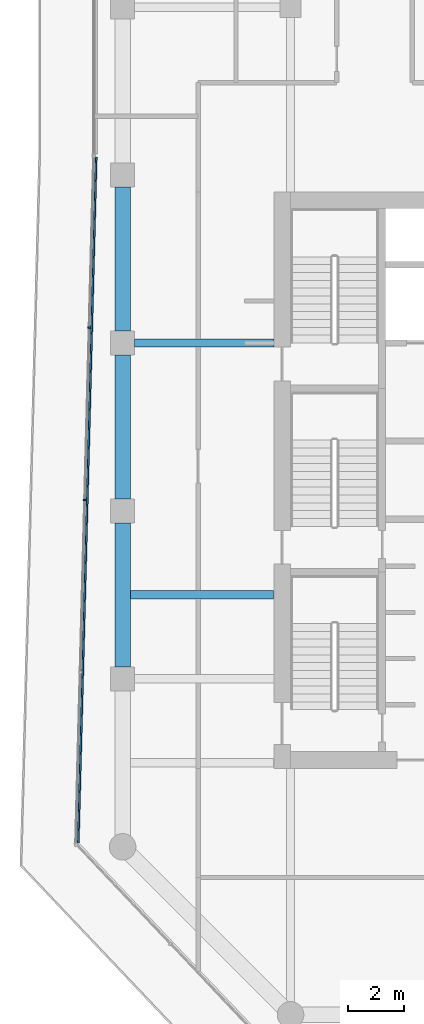
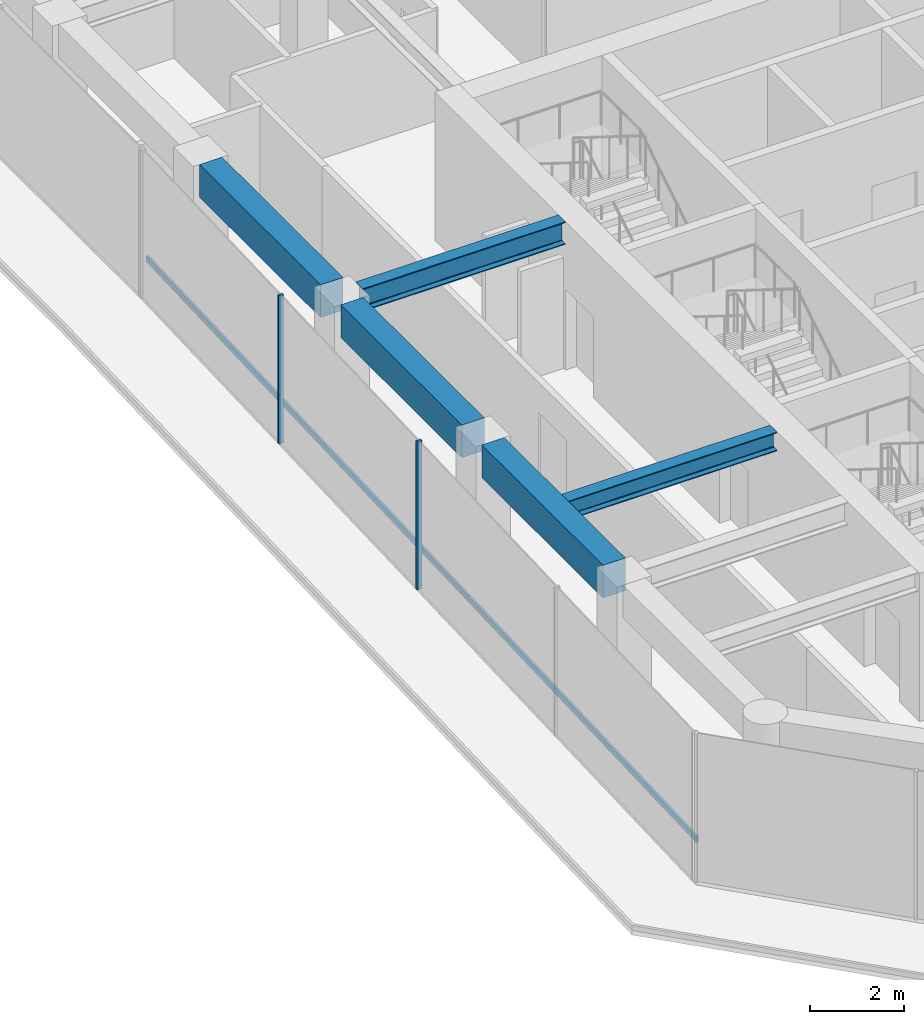
# One storey, part 4 of 19: 5 beams, 3 members, 1 element without a shape of its own.
"""IFC4 building model written with IfcOpenShell, lengths in metres."""

from ifc_helpers import new_model, si_unit, direction, frame, origin, origin_2d, place, context, subcontext, project, spatial, rectangle, i_section, extrude, material, layer, layer_set, material_profile, profile_set, type_object, element, aggregate, save


model = new_model("IFC4")

# Units and contexts
model_context = context("Model", 3, precision=1e-05, world=origin(), true_north=direction((0.0, 1.0)))
body_context = subcontext(model_context, "Body", "Model", "MODEL_VIEW")
ifc_project = project(units=[si_unit("LENGTHUNIT", "METRE"), si_unit("AREAUNIT", "SQUARE_METRE"), si_unit("VOLUMEUNIT", "CUBIC_METRE"), si_unit("PLANEANGLEUNIT", "RADIAN"), si_unit("MASSUNIT", "GRAM", prefix="KILO")], contexts=[model_context])

# Site, building, storey
site_placement = place(None, origin())
site = spatial("IfcSite", under=ifc_project, at=site_placement, CompositionType="ELEMENT")
building_placement = place(site_placement, origin())
building = spatial("IfcBuilding", under=site, at=building_placement, Name="Welwitschia Terrace Campus", CompositionType="ELEMENT")
storey_placement = place(building_placement, frame((0.0, 0.0, 163.39990234375)))
storey = spatial("IfcBuildingStorey", under=building, at=storey_placement, Name="L36", CompositionType="ELEMENT", Elevation=163.39990234375)

# Beam
ifc_material_1 = material(Name="Steel S355", Category="steel")
ifc_material_profile_1 = material_profile(ifc_material_1, i_section(OverallWidth=0.300048828125, OverallDepth=0.489990234375, WebThickness=0.011962890625, FlangeThickness=0.02294921875, FilletRadius=0.027099609375, at=origin_2d()))
ifc_profile_set_1 = profile_set([ifc_material_profile_1], Name="Steel S355")
beam_type_1 = type_object("IfcBeamType", Name="Interior girder HE 500 A", PredefinedType="BEAM", material=ifc_profile_set_1)
beam_1_placement = place(storey_placement, frame((-0.010009765625, 11.0, 3.60498046875), z_axis=(1.0, 0.0, 0.0), x_axis=(0.0, 1.0, 0.0)))
element("IfcBeam", 1, at=beam_1_placement, inside=storey, type_object=beam_type_1, Name="Girder GB4", PredefinedType="BEAM", context=body_context, shape_type="SweptSolid", body=[
    extrude(i_section(OverallWidth=0.300048828125, OverallDepth=0.489990234375, WebThickness=0.011962890625, FlangeThickness=0.02294921875, FilletRadius=0.027099609375, at=origin_2d()), origin(), (0.0, 0.0, 1.0), 5.408935546875),
])

# Curtain wall, members
ifc_material_2 = material(Name="Bronze anodised aluminium", Category="aluminium")
ifc_layer = layer(ifc_material_2, 0.1201171875)
ifc_layer_set = layer_set([ifc_layer], Name="Bronze anodised aluminium")
curtain_wall_type = type_object("IfcCurtainWallType", Name="Curtain wall CW2 tower 6000", PredefinedType="NOTDEFINED", material=ifc_layer_set)
curtain_wall_placement = place(storey_placement, origin())
curtain_wall = element("IfcCurtainWall", 2, at=curtain_wall_placement, inside=storey, type_object=curtain_wall_type, Name="CW L36.1.0", PredefinedType="NOTDEFINED")
ifc_material_3 = material(Name="Bronze anodised aluminium", Category="aluminium")
ifc_material_profile_2 = material_profile(ifc_material_3, rectangle(XDim=0.1201171875, YDim=0.06005859375, at=origin_2d()))
ifc_profile_set_2 = profile_set([ifc_material_profile_2], Name="Bronze anodised aluminium")
member_type_1 = type_object("IfcMemberType", Name="Mullion 60x120", PredefinedType="MULLION", material=ifc_profile_set_2)
member_1_placement = place(storey_placement, frame((-1.191162109375, 20.54736328125, 0.0), z_axis=(0.0, 0.0, 1.0), x_axis=(0.999657324976, -0.026176948308, 0.0)))
member_1 = element("IfcMember", 3, at=member_1_placement, type_object=member_type_1, Name="Mullion L36.1.0.1", PredefinedType="MULLION", context=body_context, shape_type="SweptSolid", body=[
    extrude(rectangle(XDim=0.1201171875, YDim=0.06005859375, at=origin_2d()), origin(), (0.0, 0.0, 1.0), 3.85009765625),
])
member_2_placement = place(storey_placement, frame((-1.352294921875, 14.393310546875, 0.0), z_axis=(0.0, 0.0, 1.0), x_axis=(0.999657324976, -0.026176948308, 0.0)))
member_2 = element("IfcMember", 4, at=member_2_placement, type_object=member_type_1, Name="Mullion L36.1.0.2", PredefinedType="MULLION", context=body_context, shape_type="SweptSolid", body=[
    extrude(rectangle(XDim=0.1201171875, YDim=0.06005859375, at=origin_2d()), origin(), (0.0, 0.0, 1.0), 3.85009765625),
])

# Beams
ifc_material_4 = material(Name="Steel S355", Category="steel")
ifc_material_profile_3 = material_profile(ifc_material_4, i_section(OverallWidth=0.300048828125, OverallDepth=0.590087890625, WebThickness=0.012939453125, FlangeThickness=0.02490234375, FilletRadius=0.027099609375, at=origin_2d()))
ifc_profile_set_3 = profile_set([ifc_material_profile_3], Name="Steel S355")
beam_type_2 = type_object("IfcBeamType", Name="Primary beam HE 600 A", PredefinedType="BEAM", material=ifc_profile_set_3)
beam_2_placement = place(storey_placement, frame((0.425537109375, 20.0, 3.55517578125), z_axis=(1.0, 0.0, 0.0), x_axis=(0.0, 1.0, 0.0)))
element("IfcBeam", 5, at=beam_2_placement, inside=storey, type_object=beam_type_2, Name="Primary beam PB4", PredefinedType="BEAM", context=body_context, shape_type="SweptSolid", body=[
    extrude(i_section(OverallWidth=0.300048828125, OverallDepth=0.590087890625, WebThickness=0.012939453125, FlangeThickness=0.02490234375, FilletRadius=0.027099609375, at=origin_2d()), origin(), (0.0, 0.0, 1.0), 4.974365234375),
])
ifc_material_5 = material(Name="Concrete C50/60", Category="concrete")
ifc_material_profile_4 = material_profile(ifc_material_5, rectangle(XDim=0.550048828125, YDim=0.85009765625, at=origin_2d()))
ifc_profile_set_4 = profile_set([ifc_material_profile_4], Name="Concrete C50/60")
beam_type_3 = type_object("IfcBeamType", Name="Ring spandrel 550x850", PredefinedType="SPANDREL", material=ifc_profile_set_4)
for number, where, z_axis, x_axis, name in (
    (6, (0.0, 25.574462890625, 3.425048828125), (0.0, -1.0, 0.0), (1.0, 0.0, 0.0), "Spandrel SP3"),
    (7, (0.0, 19.574462890625, 3.425048828125), (0.0, -1.0, 0.0), (1.0, 0.0, 0.0), "Spandrel SP3"),
    (8, (0.0, 13.574462890625, 3.425048828125), (0.0, -1.0, 0.0), (1.0, 0.0, 0.0), "Spandrel SP3"),
):
    element("IfcBeam", number, at=place(storey_placement, frame(where, z_axis=z_axis, x_axis=x_axis)), inside=storey, type_object=beam_type_3, Name=name, PredefinedType="SPANDREL", context=body_context, shape_type="SweptSolid", body=[
        extrude(rectangle(XDim=0.550048828125, YDim=0.85009765625, at=origin_2d()), origin(), (0.0, 0.0, 1.0), 5.14892578125),
    ])

# Member
ifc_material_6 = material(Name="Bronze anodised aluminium", Category="aluminium")
ifc_material_profile_5 = material_profile(ifc_material_6, rectangle(XDim=0.06005859375, YDim=0.14990234375, at=origin_2d()))
ifc_profile_set_5 = profile_set([ifc_material_profile_5], Name="Bronze anodised aluminium")
member_type_2 = type_object("IfcMemberType", Name="Transom 60x150", PredefinedType="USERDEFINED", material=ifc_profile_set_5)
member_3_placement = place(storey_placement, frame((-0.941650390625, 26.638671875, 1.0), z_axis=(-0.026173841173, -0.999657406334, 0.0), x_axis=(0.999657406334, -0.026173841173, 0.0)))
member_3 = element("IfcMember", 9, at=member_3_placement, type_object=member_type_2, Name="Transom L36.1.0", ObjectType="TRANSOM", PredefinedType="USERDEFINED", context=body_context, shape_type="SweptSolid", body=[
    extrude(rectangle(XDim=0.06005859375, YDim=0.14990234375, at=origin_2d()), origin(), (0.0, 0.0, 1.0), 24.503662109375),
])

aggregate(curtain_wall, [member_1, member_2, member_3])

save(model, "model.ifc")
